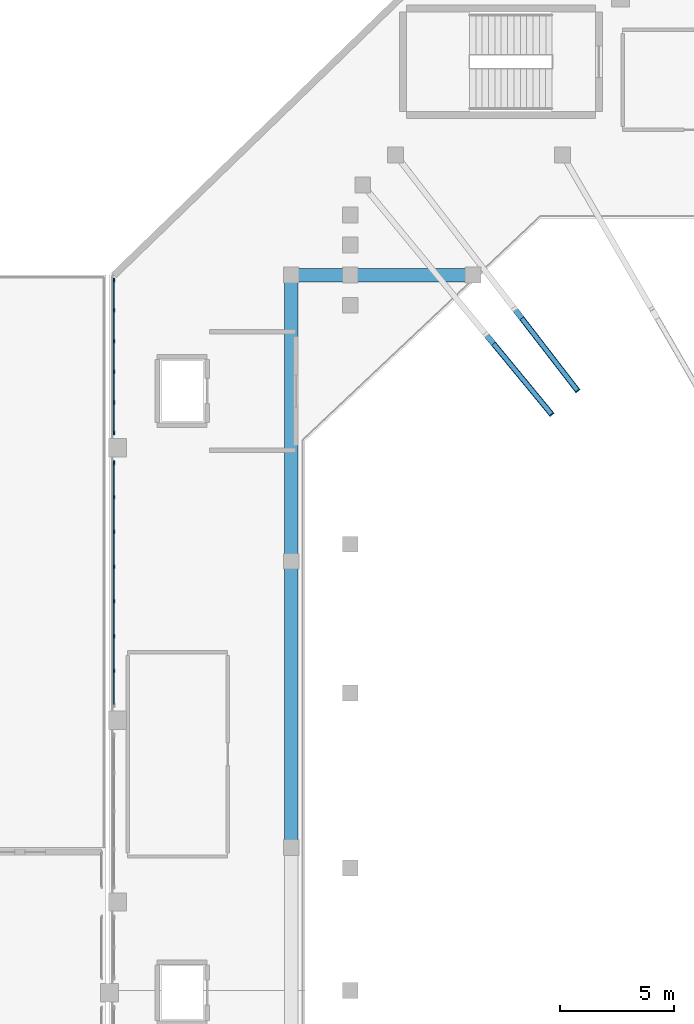
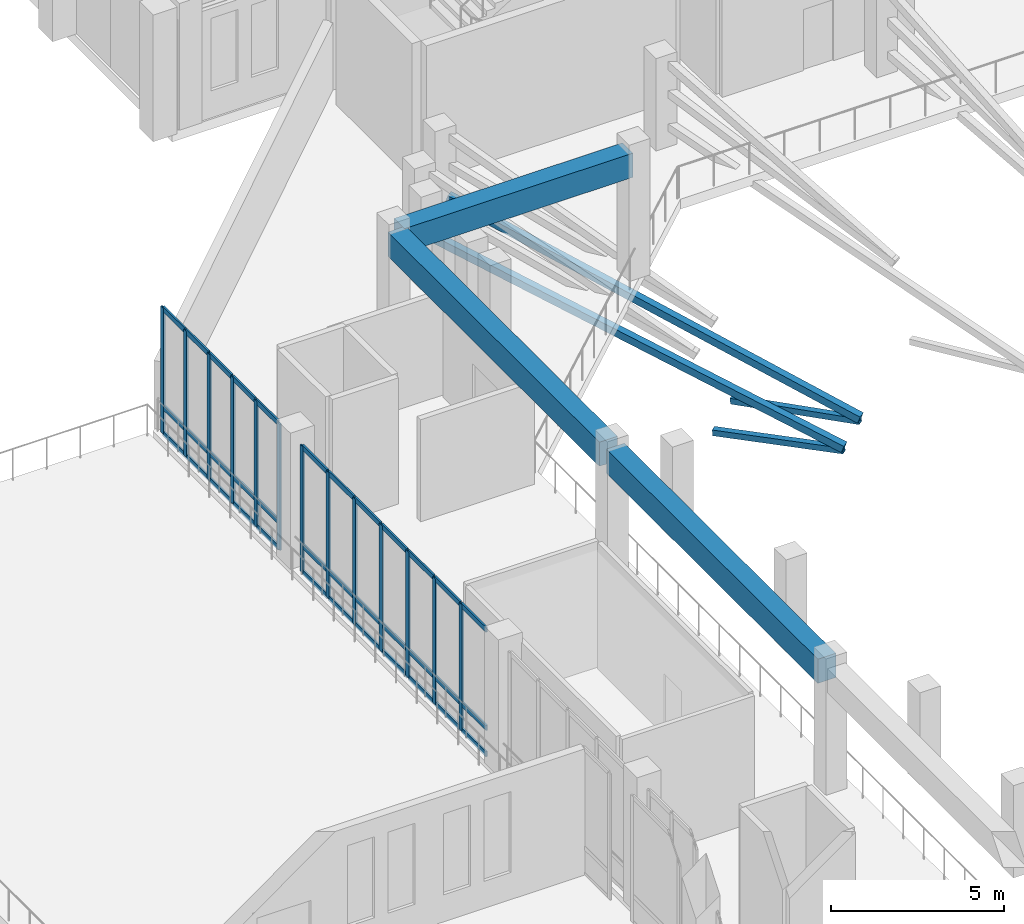
# One storey, part 23 of 79: 53 members, 3 beams, 2 elements without a shape of their own.
"""IFC4 building model written with IfcOpenShell, lengths in metres."""

from ifc_helpers import new_model, si_unit, derived_unit, direction, frame, origin, origin_2d, place, context, subcontext, project, spatial, rectangle, hollow_rectangle, extrude, material, layer, layer_set, material_profile, profile_set, type_object, element, aggregate, save


model = new_model("IFC4")

# Units and contexts
model_context = context("Model", 3, precision=1e-05, world=origin(), true_north=direction((0.0, 1.0)))
body_context = subcontext(model_context, "Body", "Model", "MODEL_VIEW")
ifc_project = project(units=[si_unit("LENGTHUNIT", "METRE"), si_unit("AREAUNIT", "SQUARE_METRE"), si_unit("VOLUMEUNIT", "CUBIC_METRE"), si_unit("PLANEANGLEUNIT", "RADIAN"), si_unit("MASSUNIT", "GRAM", prefix="KILO"), derived_unit("THERMALTRANSMITTANCEUNIT", [(si_unit("MASSUNIT", "GRAM", prefix="KILO"), 1), (si_unit("TIMEUNIT", "SECOND"), -3), (si_unit("THERMODYNAMICTEMPERATUREUNIT", "KELVIN"), -1)])], contexts=[model_context])

# Site, building, storey
site_placement = place(None, origin())
site = spatial("IfcSite", under=ifc_project, at=site_placement, CompositionType="ELEMENT")
building_placement = place(site_placement, origin())
building = spatial("IfcBuilding", under=site, at=building_placement, Name="Valcora Ridge Arena", CompositionType="ELEMENT")
storey_placement = place(building_placement, frame((0.0, 0.0, 16.199951171875)))
storey = spatial("IfcBuildingStorey", under=building, at=storey_placement, Name="L03", CompositionType="ELEMENT", Elevation=16.199951171875)

# Beams
ifc_material_1 = material(Name="Concrete C40/50", Category="concrete")
ifc_material_profile_1 = material_profile(ifc_material_1, rectangle(XDim=0.60009765625, YDim=0.85009765625, at=origin_2d()), Name="RC 600x850")
ifc_profile_set_1 = profile_set([ifc_material_profile_1], Name="Concrete C40/50")
beam_type_1 = type_object("IfcBeamType", Name="TY-BEAM-B-RC600-Y", PredefinedType="BEAM", material=ifc_profile_set_1)
for number, where, z_axis, x_axis, name in (
    (1, (24.0, 70.60009765625, 4.01513671875), (0.0, 1.0, 0.0), (-1.0, 0.0, 0.0), "B-RC600-Y BEM-B-RC600-Y-0024"),
    (2, (24.0, 83.199951171875, 4.01513671875), (0.0, 1.0, 0.0), (-1.0, 0.0, 0.0), "B-RC600-Y BEM-B-RC600-Y-0025"),
):
    element("IfcBeam", number, at=place(storey_placement, frame(where, z_axis=z_axis, x_axis=x_axis)), inside=storey, type_object=beam_type_1, Name=name, PredefinedType="BEAM", context=body_context, shape_type="SweptSolid", body=[
        extrude(rectangle(XDim=0.60009765625, YDim=0.85009765625, at=origin_2d()), origin(), (0.0, 0.0, 1.0), 12.199951171875),
    ])
ifc_material_profile_2 = material_profile(ifc_material_1, rectangle(XDim=0.60009765625, YDim=0.85009765625, at=origin_2d()), Name="RC 600x850")
ifc_profile_set_2 = profile_set([ifc_material_profile_2], Name="Concrete C40/50")
beam_type_2 = type_object("IfcBeamType", Name="TY-BEAM-EB-RC600", PredefinedType="BEAM", material=ifc_profile_set_2)
beam_placement = place(storey_placement, frame((24.199951171875, 95.60009765625, 4.01513671875), z_axis=(1.0, 0.0, 0.0), x_axis=(0.0, 1.0, 0.0)))
element("IfcBeam", 3, at=beam_placement, inside=storey, type_object=beam_type_2, Name="EB-RC600 BEM-EB-RC600-0034", PredefinedType="BEAM", context=body_context, shape_type="SweptSolid", body=[
    extrude(rectangle(XDim=0.60009765625, YDim=0.85009765625, at=origin_2d()), origin(), (0.0, 0.0, 1.0), 7.60009765625),
])

# Curtain wall, members
ifc_material_2 = material(Name="Anodised dark bronze architectural aluminium 6063-T6", Category="aluminium")
ifc_layer_1 = layer(ifc_material_2, 0.179931640625, Name="Anodised dark bronze architectural aluminium 6063-T6")
ifc_layer_set_1 = layer_set([ifc_layer_1], Name="Anodised dark bronze architectural aluminium 6063-T6")
curtain_wall_type_1 = type_object("IfcCurtainWallType", Name="TY-CURTAINWALL-CW-V1-GOTH-107X44", PredefinedType="NOTDEFINED", material=ifc_layer_set_1)
curtain_wall_1_placement = place(storey_placement, origin())
curtain_wall_1 = element("IfcCurtainWall", 4, at=curtain_wall_1_placement, inside=storey, type_object=curtain_wall_type_1, Name="CW-V1-GOTH-107X44 CW-0134", PredefinedType="NOTDEFINED")
ifc_material_profile_3 = material_profile(ifc_material_2, rectangle(XDim=0.06005859375, YDim=0.179931640625, at=origin_2d()), Name="ALU MULLION 60x180")
ifc_profile_set_3 = profile_set([ifc_material_profile_3], Name="Anodised dark bronze architectural aluminium 6063-T6")
member_type_1 = type_object("IfcMemberType", Name="TY-MEM-CWM-60x180", PredefinedType="MULLION", material=ifc_profile_set_3)
member_1_placement = place(storey_placement, frame((16.199951171875, 78.17138671875, 0.0), z_axis=(0.0, 0.0, 1.0), x_axis=(-1.0, 0.0, 0.0)))
member_1 = element("IfcMember", 5, at=member_1_placement, type_object=member_type_1, Name="CW-0134/CWM-60x180/M01", PredefinedType="MULLION", context=body_context, shape_type="SweptSolid", body=[
    extrude(rectangle(XDim=0.06005859375, YDim=0.179931640625, at=origin_2d()), origin(), (0.0, 0.0, 1.0), 4.43994140625),
])
member_2_placement = place(storey_placement, frame((16.199951171875, 79.702880859375, 0.0), z_axis=(0.0, 0.0, 1.0), x_axis=(-1.0, 0.0, 0.0)))
member_2 = element("IfcMember", 6, at=member_2_placement, type_object=member_type_1, Name="CW-0134/CWM-60x180/M02", PredefinedType="MULLION", context=body_context, shape_type="SweptSolid", body=[
    extrude(rectangle(XDim=0.06005859375, YDim=0.179931640625, at=origin_2d()), origin(), (0.0, 0.0, 1.0), 4.43994140625),
])
member_3_placement = place(storey_placement, frame((16.199951171875, 81.234375, 0.0), z_axis=(0.0, 0.0, 1.0), x_axis=(-1.0, 0.0, 0.0)))
member_3 = element("IfcMember", 7, at=member_3_placement, type_object=member_type_1, Name="CW-0134/CWM-60x180/M03", PredefinedType="MULLION", context=body_context, shape_type="SweptSolid", body=[
    extrude(rectangle(XDim=0.06005859375, YDim=0.179931640625, at=origin_2d()), origin(), (0.0, 0.0, 1.0), 4.43994140625),
])
member_4_placement = place(storey_placement, frame((16.199951171875, 82.765625, 0.0), z_axis=(0.0, 0.0, 1.0), x_axis=(-1.0, 0.0, 0.0)))
member_4 = element("IfcMember", 8, at=member_4_placement, type_object=member_type_1, Name="CW-0134/CWM-60x180/M04", PredefinedType="MULLION", context=body_context, shape_type="SweptSolid", body=[
    extrude(rectangle(XDim=0.06005859375, YDim=0.179931640625, at=origin_2d()), origin(), (0.0, 0.0, 1.0), 4.43994140625),
])
member_5_placement = place(storey_placement, frame((16.199951171875, 84.297119140625, 0.0), z_axis=(0.0, 0.0, 1.0), x_axis=(-1.0, 0.0, 0.0)))
member_5 = element("IfcMember", 9, at=member_5_placement, type_object=member_type_1, Name="CW-0134/CWM-60x180/M05", PredefinedType="MULLION", context=body_context, shape_type="SweptSolid", body=[
    extrude(rectangle(XDim=0.06005859375, YDim=0.179931640625, at=origin_2d()), origin(), (0.0, 0.0, 1.0), 4.43994140625),
])
member_6_placement = place(storey_placement, frame((16.199951171875, 85.82861328125, 0.0), z_axis=(0.0, 0.0, 1.0), x_axis=(-1.0, 0.0, 0.0)))
member_6 = element("IfcMember", 10, at=member_6_placement, type_object=member_type_1, Name="CW-0134/CWM-60x180/M06", PredefinedType="MULLION", context=body_context, shape_type="SweptSolid", body=[
    extrude(rectangle(XDim=0.06005859375, YDim=0.179931640625, at=origin_2d()), origin(), (0.0, 0.0, 1.0), 4.43994140625),
])
member_7_placement = place(storey_placement, frame((16.199951171875, 87.330078125, 0.0), z_axis=(0.0, 0.0, 1.0), x_axis=(-1.0, 0.0, 0.0)))
member_7 = element("IfcMember", 11, at=member_7_placement, type_object=member_type_1, Name="CW-0134/CWM-60x180/M07", PredefinedType="MULLION", context=body_context, shape_type="SweptSolid", body=[
    extrude(rectangle(XDim=0.06005859375, YDim=0.179931640625, at=origin_2d()), origin(), (0.0, 0.0, 1.0), 4.43994140625),
])

ifc_layer_2 = layer(ifc_material_2, 0.179931640625, Name="Anodised dark bronze architectural aluminium 6063-T6")
ifc_layer_set_2 = layer_set([ifc_layer_2], Name="Anodised dark bronze architectural aluminium 6063-T6")
curtain_wall_type_2 = type_object("IfcCurtainWallType", Name="TY-CURTAINWALL-CW-V1-GOTH-068X44", PredefinedType="NOTDEFINED", material=ifc_layer_set_2)
curtain_wall_2_placement = place(storey_placement, origin())
curtain_wall_2 = element("IfcCurtainWall", 12, at=curtain_wall_2_placement, inside=storey, type_object=curtain_wall_type_2, Name="CW-V1-GOTH-068X44 CW-0135", PredefinedType="NOTDEFINED")
member_8_placement = place(storey_placement, frame((16.199951171875, 88.669921875, 0.0), z_axis=(0.0, 0.0, 1.0), x_axis=(-1.0, 0.0, 0.0)))
member_8 = element("IfcMember", 13, at=member_8_placement, type_object=member_type_1, Name="CW-0135/CWM-60x180/M00", PredefinedType="MULLION", context=body_context, shape_type="SweptSolid", body=[
    extrude(rectangle(XDim=0.06005859375, YDim=0.179931640625, at=origin_2d()), origin(), (0.0, 0.0, 1.0), 4.43994140625),
])
member_9_placement = place(storey_placement, frame((16.199951171875, 89.991943359375, 0.0), z_axis=(0.0, 0.0, 1.0), x_axis=(-1.0, 0.0, 0.0)))
member_9 = element("IfcMember", 14, at=member_9_placement, type_object=member_type_1, Name="CW-0135/CWM-60x180/M01", PredefinedType="MULLION", context=body_context, shape_type="SweptSolid", body=[
    extrude(rectangle(XDim=0.06005859375, YDim=0.179931640625, at=origin_2d()), origin(), (0.0, 0.0, 1.0), 4.43994140625),
])
member_10_placement = place(storey_placement, frame((16.199951171875, 91.343994140625, 0.0), z_axis=(0.0, 0.0, 1.0), x_axis=(-1.0, 0.0, 0.0)))
member_10 = element("IfcMember", 15, at=member_10_placement, type_object=member_type_1, Name="CW-0135/CWM-60x180/M02", PredefinedType="MULLION", context=body_context, shape_type="SweptSolid", body=[
    extrude(rectangle(XDim=0.06005859375, YDim=0.179931640625, at=origin_2d()), origin(), (0.0, 0.0, 1.0), 4.43994140625),
])
member_11_placement = place(storey_placement, frame((16.199951171875, 92.696044921875, 0.0), z_axis=(0.0, 0.0, 1.0), x_axis=(-1.0, 0.0, 0.0)))
member_11 = element("IfcMember", 16, at=member_11_placement, type_object=member_type_1, Name="CW-0135/CWM-60x180/M03", PredefinedType="MULLION", context=body_context, shape_type="SweptSolid", body=[
    extrude(rectangle(XDim=0.06005859375, YDim=0.179931640625, at=origin_2d()), origin(), (0.0, 0.0, 1.0), 4.43994140625),
])
member_12_placement = place(storey_placement, frame((16.199951171875, 94.048095703125, 0.0), z_axis=(0.0, 0.0, 1.0), x_axis=(-1.0, 0.0, 0.0)))
member_12 = element("IfcMember", 17, at=member_12_placement, type_object=member_type_1, Name="CW-0135/CWM-60x180/M04", PredefinedType="MULLION", context=body_context, shape_type="SweptSolid", body=[
    extrude(rectangle(XDim=0.06005859375, YDim=0.179931640625, at=origin_2d()), origin(), (0.0, 0.0, 1.0), 4.43994140625),
])
member_13_placement = place(storey_placement, frame((16.199951171875, 95.3701171875, 0.0), z_axis=(0.0, 0.0, 1.0), x_axis=(-1.0, 0.0, 0.0)))
member_13 = element("IfcMember", 18, at=member_13_placement, type_object=member_type_1, Name="CW-0135/CWM-60x180/M05", PredefinedType="MULLION", context=body_context, shape_type="SweptSolid", body=[
    extrude(rectangle(XDim=0.06005859375, YDim=0.179931640625, at=origin_2d()), origin(), (0.0, 0.0, 1.0), 4.43994140625),
])

# Member
ifc_material_profile_4 = material_profile(ifc_material_2, rectangle(XDim=0.06005859375, YDim=0.179931640625, at=origin_2d()), Name="ALU TRANSOM 60x180")
ifc_profile_set_4 = profile_set([ifc_material_profile_4], Name="Anodised dark bronze architectural aluminium 6063-T6")
member_type_2 = type_object("IfcMemberType", Name="TY-MEM-CWT-60x180", PredefinedType="USERDEFINED", material=ifc_profile_set_4)
member_14_placement = place(storey_placement, frame((16.199951171875, 76.699951171875, 0.030029296875), z_axis=(0.0, 1.0, 0.0), x_axis=(-1.0, 0.0, 0.0)))
member_14 = element("IfcMember", 19, at=member_14_placement, type_object=member_type_2, Name="CW-0134/CWT-60x180/T00-00", ObjectType="TRANSOM", PredefinedType="USERDEFINED", context=body_context, shape_type="SweptSolid", body=[
    extrude(rectangle(XDim=0.06005859375, YDim=0.179931640625, at=origin_2d()), origin(), (0.0, 0.0, 1.0), 1.441162109375),
])

member_15_placement = place(storey_placement, frame((16.199951171875, 76.699951171875, 0.949951171875), z_axis=(0.0, 1.0, 0.0), x_axis=(-1.0, 0.0, 0.0)))
member_15 = element("IfcMember", 20, at=member_15_placement, type_object=member_type_2, Name="CW-0134/CWT-60x180/T00-01", ObjectType="TRANSOM", PredefinedType="USERDEFINED", context=body_context, shape_type="SweptSolid", body=[
    extrude(rectangle(XDim=0.06005859375, YDim=0.179931640625, at=origin_2d()), origin(), (0.0, 0.0, 1.0), 1.441162109375),
])

member_16_placement = place(storey_placement, frame((16.199951171875, 76.699951171875, 4.41015625), z_axis=(0.0, 1.0, 0.0), x_axis=(-1.0, 0.0, 0.0)))
member_16 = element("IfcMember", 21, at=member_16_placement, type_object=member_type_2, Name="CW-0134/CWT-60x180/T00-02", ObjectType="TRANSOM", PredefinedType="USERDEFINED", context=body_context, shape_type="SweptSolid", body=[
    extrude(rectangle(XDim=0.06005859375, YDim=0.179931640625, at=origin_2d()), origin(), (0.0, 0.0, 1.0), 1.441162109375),
])

member_17_placement = place(storey_placement, frame((16.199951171875, 78.200927734375, 0.030029296875), z_axis=(0.0, 1.0, 0.0), x_axis=(-1.0, 0.0, 0.0)))
member_17 = element("IfcMember", 22, at=member_17_placement, type_object=member_type_2, Name="CW-0134/CWT-60x180/T01-00", ObjectType="TRANSOM", PredefinedType="USERDEFINED", context=body_context, shape_type="SweptSolid", body=[
    extrude(rectangle(XDim=0.06005859375, YDim=0.179931640625, at=origin_2d()), origin(), (0.0, 0.0, 1.0), 1.47216796875),
])

member_18_placement = place(storey_placement, frame((16.199951171875, 78.200927734375, 0.949951171875), z_axis=(0.0, 1.0, 0.0), x_axis=(-1.0, 0.0, 0.0)))
member_18 = element("IfcMember", 23, at=member_18_placement, type_object=member_type_2, Name="CW-0134/CWT-60x180/T01-01", ObjectType="TRANSOM", PredefinedType="USERDEFINED", context=body_context, shape_type="SweptSolid", body=[
    extrude(rectangle(XDim=0.06005859375, YDim=0.179931640625, at=origin_2d()), origin(), (0.0, 0.0, 1.0), 1.47216796875),
])

member_19_placement = place(storey_placement, frame((16.199951171875, 78.200927734375, 4.41015625), z_axis=(0.0, 1.0, 0.0), x_axis=(-1.0, 0.0, 0.0)))
member_19 = element("IfcMember", 24, at=member_19_placement, type_object=member_type_2, Name="CW-0134/CWT-60x180/T01-02", ObjectType="TRANSOM", PredefinedType="USERDEFINED", context=body_context, shape_type="SweptSolid", body=[
    extrude(rectangle(XDim=0.06005859375, YDim=0.179931640625, at=origin_2d()), origin(), (0.0, 0.0, 1.0), 1.47216796875),
])

member_20_placement = place(storey_placement, frame((16.199951171875, 79.73291015625, 0.030029296875), z_axis=(0.0, 1.0, 0.0), x_axis=(-1.0, 0.0, 0.0)))
member_20 = element("IfcMember", 25, at=member_20_placement, type_object=member_type_2, Name="CW-0134/CWT-60x180/T02-00", ObjectType="TRANSOM", PredefinedType="USERDEFINED", context=body_context, shape_type="SweptSolid", body=[
    extrude(rectangle(XDim=0.06005859375, YDim=0.179931640625, at=origin_2d()), origin(), (0.0, 0.0, 1.0), 1.47119140625),
])

member_21_placement = place(storey_placement, frame((16.199951171875, 79.73291015625, 0.949951171875), z_axis=(0.0, 1.0, 0.0), x_axis=(-1.0, 0.0, 0.0)))
member_21 = element("IfcMember", 26, at=member_21_placement, type_object=member_type_2, Name="CW-0134/CWT-60x180/T02-01", ObjectType="TRANSOM", PredefinedType="USERDEFINED", context=body_context, shape_type="SweptSolid", body=[
    extrude(rectangle(XDim=0.06005859375, YDim=0.179931640625, at=origin_2d()), origin(), (0.0, 0.0, 1.0), 1.47119140625),
])

member_22_placement = place(storey_placement, frame((16.199951171875, 79.73291015625, 4.41015625), z_axis=(0.0, 1.0, 0.0), x_axis=(-1.0, 0.0, 0.0)))
member_22 = element("IfcMember", 27, at=member_22_placement, type_object=member_type_2, Name="CW-0134/CWT-60x180/T02-02", ObjectType="TRANSOM", PredefinedType="USERDEFINED", context=body_context, shape_type="SweptSolid", body=[
    extrude(rectangle(XDim=0.06005859375, YDim=0.179931640625, at=origin_2d()), origin(), (0.0, 0.0, 1.0), 1.47119140625),
])

member_23_placement = place(storey_placement, frame((16.199951171875, 81.263916015625, 0.030029296875), z_axis=(0.0, 1.0, 0.0), x_axis=(-1.0, 0.0, 0.0)))
member_23 = element("IfcMember", 28, at=member_23_placement, type_object=member_type_2, Name="CW-0134/CWT-60x180/T03-00", ObjectType="TRANSOM", PredefinedType="USERDEFINED", context=body_context, shape_type="SweptSolid", body=[
    extrude(rectangle(XDim=0.06005859375, YDim=0.179931640625, at=origin_2d()), origin(), (0.0, 0.0, 1.0), 1.47216796875),
])

member_24_placement = place(storey_placement, frame((16.199951171875, 81.263916015625, 0.949951171875), z_axis=(0.0, 1.0, 0.0), x_axis=(-1.0, 0.0, 0.0)))
member_24 = element("IfcMember", 29, at=member_24_placement, type_object=member_type_2, Name="CW-0134/CWT-60x180/T03-01", ObjectType="TRANSOM", PredefinedType="USERDEFINED", context=body_context, shape_type="SweptSolid", body=[
    extrude(rectangle(XDim=0.06005859375, YDim=0.179931640625, at=origin_2d()), origin(), (0.0, 0.0, 1.0), 1.47216796875),
])

member_25_placement = place(storey_placement, frame((16.199951171875, 81.263916015625, 4.41015625), z_axis=(0.0, 1.0, 0.0), x_axis=(-1.0, 0.0, 0.0)))
member_25 = element("IfcMember", 30, at=member_25_placement, type_object=member_type_2, Name="CW-0134/CWT-60x180/T03-02", ObjectType="TRANSOM", PredefinedType="USERDEFINED", context=body_context, shape_type="SweptSolid", body=[
    extrude(rectangle(XDim=0.06005859375, YDim=0.179931640625, at=origin_2d()), origin(), (0.0, 0.0, 1.0), 1.47216796875),
])

member_26_placement = place(storey_placement, frame((16.199951171875, 82.7958984375, 0.030029296875), z_axis=(0.0, 1.0, 0.0), x_axis=(-1.0, 0.0, 0.0)))
member_26 = element("IfcMember", 31, at=member_26_placement, type_object=member_type_2, Name="CW-0134/CWT-60x180/T04-00", ObjectType="TRANSOM", PredefinedType="USERDEFINED", context=body_context, shape_type="SweptSolid", body=[
    extrude(rectangle(XDim=0.06005859375, YDim=0.179931640625, at=origin_2d()), origin(), (0.0, 0.0, 1.0), 1.47119140625),
])

member_27_placement = place(storey_placement, frame((16.199951171875, 82.7958984375, 0.949951171875), z_axis=(0.0, 1.0, 0.0), x_axis=(-1.0, 0.0, 0.0)))
member_27 = element("IfcMember", 32, at=member_27_placement, type_object=member_type_2, Name="CW-0134/CWT-60x180/T04-01", ObjectType="TRANSOM", PredefinedType="USERDEFINED", context=body_context, shape_type="SweptSolid", body=[
    extrude(rectangle(XDim=0.06005859375, YDim=0.179931640625, at=origin_2d()), origin(), (0.0, 0.0, 1.0), 1.47119140625),
])

member_28_placement = place(storey_placement, frame((16.199951171875, 82.7958984375, 4.41015625), z_axis=(0.0, 1.0, 0.0), x_axis=(-1.0, 0.0, 0.0)))
member_28 = element("IfcMember", 33, at=member_28_placement, type_object=member_type_2, Name="CW-0134/CWT-60x180/T04-02", ObjectType="TRANSOM", PredefinedType="USERDEFINED", context=body_context, shape_type="SweptSolid", body=[
    extrude(rectangle(XDim=0.06005859375, YDim=0.179931640625, at=origin_2d()), origin(), (0.0, 0.0, 1.0), 1.47119140625),
])

member_29_placement = place(storey_placement, frame((16.199951171875, 84.326904296875, 0.030029296875), z_axis=(0.0, 1.0, 0.0), x_axis=(-1.0, 0.0, 0.0)))
member_29 = element("IfcMember", 34, at=member_29_placement, type_object=member_type_2, Name="CW-0134/CWT-60x180/T05-00", ObjectType="TRANSOM", PredefinedType="USERDEFINED", context=body_context, shape_type="SweptSolid", body=[
    extrude(rectangle(XDim=0.06005859375, YDim=0.179931640625, at=origin_2d()), origin(), (0.0, 0.0, 1.0), 1.47216796875),
])

member_30_placement = place(storey_placement, frame((16.199951171875, 84.326904296875, 0.949951171875), z_axis=(0.0, 1.0, 0.0), x_axis=(-1.0, 0.0, 0.0)))
member_30 = element("IfcMember", 35, at=member_30_placement, type_object=member_type_2, Name="CW-0134/CWT-60x180/T05-01", ObjectType="TRANSOM", PredefinedType="USERDEFINED", context=body_context, shape_type="SweptSolid", body=[
    extrude(rectangle(XDim=0.06005859375, YDim=0.179931640625, at=origin_2d()), origin(), (0.0, 0.0, 1.0), 1.47216796875),
])

member_31_placement = place(storey_placement, frame((16.199951171875, 84.326904296875, 4.41015625), z_axis=(0.0, 1.0, 0.0), x_axis=(-1.0, 0.0, 0.0)))
member_31 = element("IfcMember", 36, at=member_31_placement, type_object=member_type_2, Name="CW-0134/CWT-60x180/T05-02", ObjectType="TRANSOM", PredefinedType="USERDEFINED", context=body_context, shape_type="SweptSolid", body=[
    extrude(rectangle(XDim=0.06005859375, YDim=0.179931640625, at=origin_2d()), origin(), (0.0, 0.0, 1.0), 1.47216796875),
])

member_32_placement = place(storey_placement, frame((16.199951171875, 85.85888671875, 0.030029296875), z_axis=(0.0, 1.0, 0.0), x_axis=(-1.0, 0.0, 0.0)))
member_32 = element("IfcMember", 37, at=member_32_placement, type_object=member_type_2, Name="CW-0134/CWT-60x180/T06-00", ObjectType="TRANSOM", PredefinedType="USERDEFINED", context=body_context, shape_type="SweptSolid", body=[
    extrude(rectangle(XDim=0.06005859375, YDim=0.179931640625, at=origin_2d()), origin(), (0.0, 0.0, 1.0), 1.441162109375),
])

member_33_placement = place(storey_placement, frame((16.199951171875, 85.85888671875, 0.949951171875), z_axis=(0.0, 1.0, 0.0), x_axis=(-1.0, 0.0, 0.0)))
member_33 = element("IfcMember", 38, at=member_33_placement, type_object=member_type_2, Name="CW-0134/CWT-60x180/T06-01", ObjectType="TRANSOM", PredefinedType="USERDEFINED", context=body_context, shape_type="SweptSolid", body=[
    extrude(rectangle(XDim=0.06005859375, YDim=0.179931640625, at=origin_2d()), origin(), (0.0, 0.0, 1.0), 1.441162109375),
])

member_34_placement = place(storey_placement, frame((16.199951171875, 85.85888671875, 4.41015625), z_axis=(0.0, 1.0, 0.0), x_axis=(-1.0, 0.0, 0.0)))
member_34 = element("IfcMember", 39, at=member_34_placement, type_object=member_type_2, Name="CW-0134/CWT-60x180/T06-02", ObjectType="TRANSOM", PredefinedType="USERDEFINED", context=body_context, shape_type="SweptSolid", body=[
    extrude(rectangle(XDim=0.06005859375, YDim=0.179931640625, at=origin_2d()), origin(), (0.0, 0.0, 1.0), 1.441162109375),
])

aggregate(curtain_wall_1, [member_1, member_2, member_3, member_4, member_5, member_6, member_7, member_14, member_15, member_16, member_17, member_18, member_19, member_20, member_21, member_22, member_23, member_24, member_25, member_26, member_27, member_28, member_29, member_30, member_31, member_32, member_33, member_34])

member_35_placement = place(storey_placement, frame((16.199951171875, 88.699951171875, 0.030029296875), z_axis=(0.0, 1.0, 0.0), x_axis=(-1.0, 0.0, 0.0)))
member_35 = element("IfcMember", 40, at=member_35_placement, type_object=member_type_2, Name="CW-0135/CWT-60x180/T00-00", ObjectType="TRANSOM", PredefinedType="USERDEFINED", context=body_context, shape_type="SweptSolid", body=[
    extrude(rectangle(XDim=0.06005859375, YDim=0.179931640625, at=origin_2d()), origin(), (0.0, 0.0, 1.0), 1.261962890625),
])

member_36_placement = place(storey_placement, frame((16.199951171875, 88.699951171875, 0.949951171875), z_axis=(0.0, 1.0, 0.0), x_axis=(-1.0, 0.0, 0.0)))
member_36 = element("IfcMember", 41, at=member_36_placement, type_object=member_type_2, Name="CW-0135/CWT-60x180/T00-01", ObjectType="TRANSOM", PredefinedType="USERDEFINED", context=body_context, shape_type="SweptSolid", body=[
    extrude(rectangle(XDim=0.06005859375, YDim=0.179931640625, at=origin_2d()), origin(), (0.0, 0.0, 1.0), 1.261962890625),
])

member_37_placement = place(storey_placement, frame((16.199951171875, 88.699951171875, 4.41015625), z_axis=(0.0, 1.0, 0.0), x_axis=(-1.0, 0.0, 0.0)))
member_37 = element("IfcMember", 42, at=member_37_placement, type_object=member_type_2, Name="CW-0135/CWT-60x180/T00-02", ObjectType="TRANSOM", PredefinedType="USERDEFINED", context=body_context, shape_type="SweptSolid", body=[
    extrude(rectangle(XDim=0.06005859375, YDim=0.179931640625, at=origin_2d()), origin(), (0.0, 0.0, 1.0), 1.261962890625),
])

member_38_placement = place(storey_placement, frame((16.199951171875, 90.02197265625, 0.030029296875), z_axis=(0.0, 1.0, 0.0), x_axis=(-1.0, 0.0, 0.0)))
member_38 = element("IfcMember", 43, at=member_38_placement, type_object=member_type_2, Name="CW-0135/CWT-60x180/T01-00", ObjectType="TRANSOM", PredefinedType="USERDEFINED", context=body_context, shape_type="SweptSolid", body=[
    extrude(rectangle(XDim=0.06005859375, YDim=0.179931640625, at=origin_2d()), origin(), (0.0, 0.0, 1.0), 1.2919921875),
])

member_39_placement = place(storey_placement, frame((16.199951171875, 90.02197265625, 0.949951171875), z_axis=(0.0, 1.0, 0.0), x_axis=(-1.0, 0.0, 0.0)))
member_39 = element("IfcMember", 44, at=member_39_placement, type_object=member_type_2, Name="CW-0135/CWT-60x180/T01-01", ObjectType="TRANSOM", PredefinedType="USERDEFINED", context=body_context, shape_type="SweptSolid", body=[
    extrude(rectangle(XDim=0.06005859375, YDim=0.179931640625, at=origin_2d()), origin(), (0.0, 0.0, 1.0), 1.2919921875),
])

member_40_placement = place(storey_placement, frame((16.199951171875, 90.02197265625, 4.41015625), z_axis=(0.0, 1.0, 0.0), x_axis=(-1.0, 0.0, 0.0)))
member_40 = element("IfcMember", 45, at=member_40_placement, type_object=member_type_2, Name="CW-0135/CWT-60x180/T01-02", ObjectType="TRANSOM", PredefinedType="USERDEFINED", context=body_context, shape_type="SweptSolid", body=[
    extrude(rectangle(XDim=0.06005859375, YDim=0.179931640625, at=origin_2d()), origin(), (0.0, 0.0, 1.0), 1.2919921875),
])

member_41_placement = place(storey_placement, frame((16.199951171875, 91.3740234375, 0.030029296875), z_axis=(0.0, 1.0, 0.0), x_axis=(-1.0, 0.0, 0.0)))
member_41 = element("IfcMember", 46, at=member_41_placement, type_object=member_type_2, Name="CW-0135/CWT-60x180/T02-00", ObjectType="TRANSOM", PredefinedType="USERDEFINED", context=body_context, shape_type="SweptSolid", body=[
    extrude(rectangle(XDim=0.06005859375, YDim=0.179931640625, at=origin_2d()), origin(), (0.0, 0.0, 1.0), 1.2919921875),
])

member_42_placement = place(storey_placement, frame((16.199951171875, 91.3740234375, 0.949951171875), z_axis=(0.0, 1.0, 0.0), x_axis=(-1.0, 0.0, 0.0)))
member_42 = element("IfcMember", 47, at=member_42_placement, type_object=member_type_2, Name="CW-0135/CWT-60x180/T02-01", ObjectType="TRANSOM", PredefinedType="USERDEFINED", context=body_context, shape_type="SweptSolid", body=[
    extrude(rectangle(XDim=0.06005859375, YDim=0.179931640625, at=origin_2d()), origin(), (0.0, 0.0, 1.0), 1.2919921875),
])

member_43_placement = place(storey_placement, frame((16.199951171875, 91.3740234375, 4.41015625), z_axis=(0.0, 1.0, 0.0), x_axis=(-1.0, 0.0, 0.0)))
member_43 = element("IfcMember", 48, at=member_43_placement, type_object=member_type_2, Name="CW-0135/CWT-60x180/T02-02", ObjectType="TRANSOM", PredefinedType="USERDEFINED", context=body_context, shape_type="SweptSolid", body=[
    extrude(rectangle(XDim=0.06005859375, YDim=0.179931640625, at=origin_2d()), origin(), (0.0, 0.0, 1.0), 1.2919921875),
])

member_44_placement = place(storey_placement, frame((16.199951171875, 92.72607421875, 0.030029296875), z_axis=(0.0, 1.0, 0.0), x_axis=(-1.0, 0.0, 0.0)))
member_44 = element("IfcMember", 49, at=member_44_placement, type_object=member_type_2, Name="CW-0135/CWT-60x180/T03-00", ObjectType="TRANSOM", PredefinedType="USERDEFINED", context=body_context, shape_type="SweptSolid", body=[
    extrude(rectangle(XDim=0.06005859375, YDim=0.179931640625, at=origin_2d()), origin(), (0.0, 0.0, 1.0), 1.2919921875),
])

member_45_placement = place(storey_placement, frame((16.199951171875, 92.72607421875, 0.949951171875), z_axis=(0.0, 1.0, 0.0), x_axis=(-1.0, 0.0, 0.0)))
member_45 = element("IfcMember", 50, at=member_45_placement, type_object=member_type_2, Name="CW-0135/CWT-60x180/T03-01", ObjectType="TRANSOM", PredefinedType="USERDEFINED", context=body_context, shape_type="SweptSolid", body=[
    extrude(rectangle(XDim=0.06005859375, YDim=0.179931640625, at=origin_2d()), origin(), (0.0, 0.0, 1.0), 1.2919921875),
])

member_46_placement = place(storey_placement, frame((16.199951171875, 92.72607421875, 4.41015625), z_axis=(0.0, 1.0, 0.0), x_axis=(-1.0, 0.0, 0.0)))
member_46 = element("IfcMember", 51, at=member_46_placement, type_object=member_type_2, Name="CW-0135/CWT-60x180/T03-02", ObjectType="TRANSOM", PredefinedType="USERDEFINED", context=body_context, shape_type="SweptSolid", body=[
    extrude(rectangle(XDim=0.06005859375, YDim=0.179931640625, at=origin_2d()), origin(), (0.0, 0.0, 1.0), 1.2919921875),
])

member_47_placement = place(storey_placement, frame((16.199951171875, 94.077880859375, 0.030029296875), z_axis=(0.0, 1.0, 0.0), x_axis=(-1.0, 0.0, 0.0)))
member_47 = element("IfcMember", 52, at=member_47_placement, type_object=member_type_2, Name="CW-0135/CWT-60x180/T04-00", ObjectType="TRANSOM", PredefinedType="USERDEFINED", context=body_context, shape_type="SweptSolid", body=[
    extrude(rectangle(XDim=0.06005859375, YDim=0.179931640625, at=origin_2d()), origin(), (0.0, 0.0, 1.0), 1.26220703125),
])

member_48_placement = place(storey_placement, frame((16.199951171875, 94.077880859375, 0.949951171875), z_axis=(0.0, 1.0, 0.0), x_axis=(-1.0, 0.0, 0.0)))
member_48 = element("IfcMember", 53, at=member_48_placement, type_object=member_type_2, Name="CW-0135/CWT-60x180/T04-01", ObjectType="TRANSOM", PredefinedType="USERDEFINED", context=body_context, shape_type="SweptSolid", body=[
    extrude(rectangle(XDim=0.06005859375, YDim=0.179931640625, at=origin_2d()), origin(), (0.0, 0.0, 1.0), 1.26220703125),
])

member_49_placement = place(storey_placement, frame((16.199951171875, 94.077880859375, 4.41015625), z_axis=(0.0, 1.0, 0.0), x_axis=(-1.0, 0.0, 0.0)))
member_49 = element("IfcMember", 54, at=member_49_placement, type_object=member_type_2, Name="CW-0135/CWT-60x180/T04-02", ObjectType="TRANSOM", PredefinedType="USERDEFINED", context=body_context, shape_type="SweptSolid", body=[
    extrude(rectangle(XDim=0.06005859375, YDim=0.179931640625, at=origin_2d()), origin(), (0.0, 0.0, 1.0), 1.26220703125),
])

aggregate(curtain_wall_2, [member_8, member_9, member_10, member_11, member_12, member_13, member_35, member_36, member_37, member_38, member_39, member_40, member_41, member_42, member_43, member_44, member_45, member_46, member_47, member_48, member_49])

# Members
ifc_material_3 = material(Name="Steel ASTM A500 Grade C", Category="steel")
ifc_material_profile_5 = material_profile(ifc_material_3, hollow_rectangle(XDim=0.25, YDim=0.25, WallThickness=0.012451171875, at=origin_2d()), Name="HSS250X250X12")
ifc_profile_set_5 = profile_set([ifc_material_profile_5], Name="Steel ASTM A500 Grade C")
member_type_3 = type_object("IfcMemberType", Name="TY-MEMBER-RKRUC-250", PredefinedType="CHORD", material=ifc_profile_set_5)
member_50_placement = place(storey_placement, frame((36.614013671875, 90.511474609375, -3.661865234375), z_axis=(-0.578273896138, 0.749623632789, 0.321968492573), x_axis=(-0.791785929407, -0.610798691873, 0.0)))
element("IfcMember", 55, at=member_50_placement, inside=storey, type_object=member_type_3, Name="RKRUC-250 MBR-RK-RKRUC-250-0020", PredefinedType="CHORD", context=body_context, shape_type="SweptSolid", body=[
    extrude(hollow_rectangle(XDim=0.25, YDim=0.25, WallThickness=0.012451171875, at=origin_2d()), origin(), (0.0, 0.0, 1.0), 13.578369140625),
])
member_51_placement = place(storey_placement, frame((35.470703125, 89.471435546875, -3.661865234375), z_axis=(-0.601706857874, 0.730640180269, 0.322666676562), x_axis=(-0.771928586933, -0.635709254829, 0.0)))
element("IfcMember", 56, at=member_51_placement, inside=storey, type_object=member_type_3, Name="RKRUC-250 MBR-RK-RKRUC-250-0021", PredefinedType="CHORD", context=body_context, shape_type="SweptSolid", body=[
    extrude(hollow_rectangle(XDim=0.25, YDim=0.25, WallThickness=0.012451171875, at=origin_2d()), origin(), (0.0, 0.0, 1.0), 13.54833984375),
])
ifc_material_profile_6 = material_profile(ifc_material_3, hollow_rectangle(XDim=0.199951171875, YDim=0.199951171875, WallThickness=0.012451171875, at=origin_2d()), Name="HSS200X200X12")
ifc_profile_set_6 = profile_set([ifc_material_profile_6], Name="Steel ASTM A500 Grade C")
member_type_4 = type_object("IfcMemberType", Name="TY-MEMBER-RKRUW-200", PredefinedType="STRUT", material=ifc_profile_set_6)
member_52_placement = place(storey_placement, frame((36.608642578125, 90.5185546875, -3.7353515625), z_axis=(-0.608616217941, 0.788890803568, -0.085074081276), x_axis=(-0.791761232024, -0.610830706059, 0.0)))
element("IfcMember", 57, at=member_52_placement, inside=storey, type_object=member_type_4, Name="RKRUW-200 Raker Web Strut", PredefinedType="STRUT", context=body_context, shape_type="SweptSolid", body=[
    extrude(hollow_rectangle(XDim=0.199951171875, YDim=0.199951171875, WallThickness=0.012451171875, at=origin_2d()), origin(), (0.0, 0.0, 1.0), 4.0263671875),
])
member_53_placement = place(storey_placement, frame((35.46484375, 89.478271484375, -3.7353515625), z_axis=(-0.633379030858, 0.76915075418, -0.085077145074), x_axis=(-0.771949559912, -0.635683786919, 0.0)))
element("IfcMember", 58, at=member_53_placement, inside=storey, type_object=member_type_4, Name="RKRUW-200 Raker Web Strut", PredefinedType="STRUT", context=body_context, shape_type="SweptSolid", body=[
    extrude(hollow_rectangle(XDim=0.199951171875, YDim=0.199951171875, WallThickness=0.012451171875, at=origin_2d()), origin(), (0.0, 0.0, 1.0), 4.026123046875),
])

save(model, "model.ifc")
